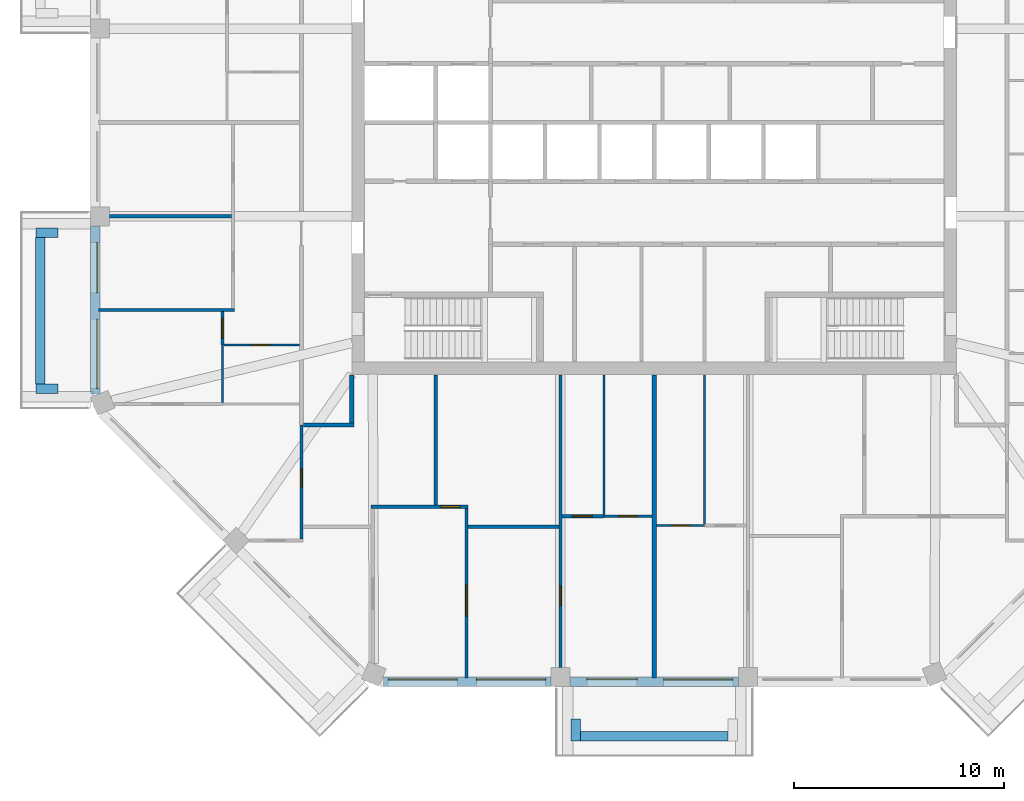
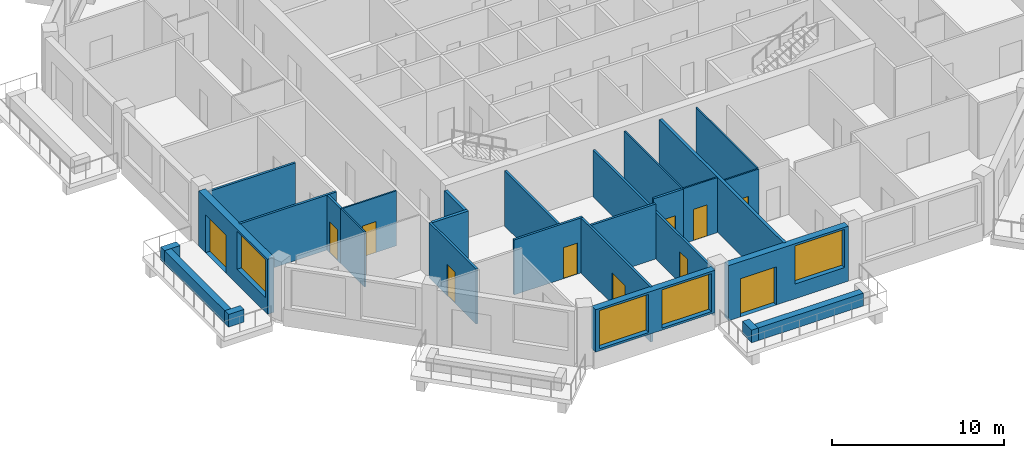
# One storey, part 3 of 12: 27 walls, 11 doors, 4 windows, 15 openings.
"""IFC4 building model written with IfcOpenShell, lengths in metres."""

from ifc_helpers import new_model, si_unit, direction, frame, frame_2d, origin, place, context, subcontext, project, spatial, rectangle, extrude, material, layer, layer_set, type_object, element, fill, save


model = new_model("IFC4")

# Units and contexts
model_context = context("Model", 3, precision=1e-05, world=origin(), true_north=direction((0.0, 1.0)))
body_context = subcontext(model_context, "Body", "Model", "MODEL_VIEW")
ifc_project = project(units=[si_unit("LENGTHUNIT", "METRE"), si_unit("AREAUNIT", "SQUARE_METRE"), si_unit("VOLUMEUNIT", "CUBIC_METRE"), si_unit("PLANEANGLEUNIT", "RADIAN"), si_unit("MASSUNIT", "GRAM", prefix="KILO")], contexts=[model_context])

# Site, building, storey
site_placement = place(None, origin())
site = spatial("IfcSite", under=ifc_project, at=site_placement, CompositionType="ELEMENT")
building_placement = place(site_placement, origin())
building = spatial("IfcBuilding", under=site, at=building_placement, Name="Msitu Wima Residences", CompositionType="ELEMENT")
storey_placement = place(building_placement, frame((0.0, 0.0, 306.300048828125)))
storey = spatial("IfcBuildingStorey", under=building, at=storey_placement, Name="L71", CompositionType="ELEMENT", Elevation=306.300048828125)

# Walls
ifc_material_1 = material(Name="Facing brick")
ifc_layer_1 = layer(ifc_material_1, 0.06494140625, Name="Facing brick")
ifc_material_2 = material(Name="Concrete C40/50", Category="concrete")
ifc_layer_2 = layer(ifc_material_2, 0.156005859375, Name="Concrete C40/50")
ifc_material_3 = material(Name="Waterproofing membrane")
ifc_layer_3 = layer(ifc_material_3, 0.00390625, Name="Waterproofing membrane")
ifc_material_4 = material(Name="Planting soil and planting")
ifc_layer_4 = layer(ifc_material_4, 0.22509765625, Name="Planting soil and planting")
ifc_layer_set_1 = layer_set([ifc_layer_1, ifc_layer_2, ifc_layer_3, ifc_layer_4], Name="Concrete C40/50")
wall_type_1 = type_object("IfcWallType", Name="Balcony planter PLANTER PL450", PredefinedType="USERDEFINED", material=ifc_layer_set_1)
wall_1_placement = place(storey_placement, frame((-29.22509765625, -5.468505859375, 0.0), z_axis=(0.0, 0.0, 1.0), x_axis=(0.0, -1.0, 0.0)))
element("IfcWall", 1, at=wall_1_placement, inside=storey, type_object=wall_type_1, Name="Balcony planter W2 L71", ObjectType="PLANTER", PredefinedType="USERDEFINED", context=body_context, shape_type="SweptSolid", body=[
    extrude(rectangle(XDim=6.9873046875, YDim=0.449951171875, at=frame_2d((3.49365234375, 0.0))), origin(), (0.0, 0.0, 1.0), 0.89990234375),
])
for number, where, z_axis, x_axis, name in (
    (2, (-28.39990234375, -5.24365234375, 0.0), (0.0, 0.0, 1.0), (-1.0, 0.0, 0.0), "Balcony planter W2 L71"),
    (3, (-28.39990234375, -12.680908203125, 0.0), (0.0, 0.0, 1.0), (-1.0, 0.0, 0.0), "Balcony planter W2 L71"),
):
    element("IfcWall", number, at=place(storey_placement, frame(where, z_axis=z_axis, x_axis=x_axis)), inside=storey, type_object=wall_type_1, Name=name, ObjectType="PLANTER", PredefinedType="USERDEFINED", context=body_context, shape_type="SweptSolid", body=[
        extrude(rectangle(XDim=1.050048828125, YDim=0.449951171875, at=frame_2d((0.52490234375, 0.0))), origin(), (0.0, 0.0, 1.0), 0.89990234375),
    ])
wall_2_placement = place(storey_placement, frame((-3.5185546875, -29.22509765625, 0.0), z_axis=(0.0, 0.0, 1.0), x_axis=(1.0, 0.0, 0.0)))
element("IfcWall", 4, at=wall_2_placement, inside=storey, type_object=wall_type_1, Name="Balcony planter S1 L71", ObjectType="PLANTER", PredefinedType="USERDEFINED", context=body_context, shape_type="SweptSolid", body=[
    extrude(rectangle(XDim=7.037109375, YDim=0.449951171875, at=frame_2d((3.5185546875, 0.0))), origin(), (0.0, 0.0, 1.0), 0.89990234375),
])
wall_3_placement = place(storey_placement, frame((-3.74365234375, -28.39990234375, 0.0), z_axis=(0.0, 0.0, 1.0), x_axis=(0.0, -1.0, 0.0)))
element("IfcWall", 5, at=wall_3_placement, inside=storey, type_object=wall_type_1, Name="Balcony planter S1 L71", ObjectType="PLANTER", PredefinedType="USERDEFINED", context=body_context, shape_type="SweptSolid", body=[
    extrude(rectangle(XDim=1.050048828125, YDim=0.449951171875, at=frame_2d((0.52490234375, 0.0))), origin(), (0.0, 0.0, 1.0), 0.89990234375),
])

# Wall, openings, door, window
ifc_material_5 = material(Name="Brick (red buff mix)", Category="masonry")
ifc_layer_5 = layer(ifc_material_5, 0.449951171875)
ifc_layer_set_2 = layer_set([ifc_layer_5], Name="Brick (red buff mix)")
wall_type_2 = type_object("IfcWallType", Name="Brick infill wall BW450", PredefinedType="SOLIDWALL", material=ifc_layer_set_2)
wall_4_placement = place(storey_placement, frame((-26.625, -4.918701171875, 0.0), z_axis=(0.0, 0.0, 1.0), x_axis=(0.0, -1.0, 0.0)))
wall_4 = element("IfcWall", 6, at=wall_4_placement, inside=storey, type_object=wall_type_2, Name="Brick infill wall L71 W2", PredefinedType="SOLIDWALL", context=body_context, shape_type="SweptSolid", body=[
    extrude(rectangle(XDim=8.0, YDim=0.449951171875, at=frame_2d((4.0, 0.0))), origin(), (0.0, 0.0, 1.0), 3.89990234375),
])
opening_1_placement = place(wall_4_placement, frame((0.800048828125, 0.0, 0.0)))
opening_1 = element("IfcOpeningElement", 7, at=opening_1_placement, cuts=wall_4, Name="Opening D71.010", PredefinedType="OPENING", context=body_context, shape_type="SweptSolid", body=[
    extrude(rectangle(XDim=2.39990234375, YDim=2.699951171875, at=frame_2d((1.199951171875, 1.35009765625))), frame((0.0, 0.23486328125, 0.0), z_axis=(0.0, -1.0, 0.0), x_axis=(1.0, 0.0, 0.0)), (0.0, 0.0, 1.0), 0.469970703125),
])
opening_2_placement = place(wall_4_placement, frame((4.4501953125, 0.0, 1.050048828125)))
opening_2 = element("IfcOpeningElement", 8, at=opening_2_placement, cuts=wall_4, Name="Opening W71.030", PredefinedType="OPENING", context=body_context, shape_type="SweptSolid", body=[
    extrude(rectangle(XDim=3.300048828125, YDim=2.699951171875, at=frame_2d((1.64990234375, 1.35009765625))), frame((0.0, 0.23486328125, 0.0), z_axis=(0.0, -1.0, 0.0), x_axis=(1.0, 0.0, 0.0)), (0.0, 0.0, 1.0), 0.469970703125),
])
ifc_material_6 = material(Name="Anodised aluminium, bronze finish, clear low-emissivity double glazing", Category="aluminium")
door_type_1 = type_object("IfcDoorType", Name="Balcony door D2400x2700", OperationType="SLIDING_TO_LEFT", PredefinedType="DOOR", material=ifc_material_6)
door_1_placement = place(opening_1_placement, origin())
door_1 = element("IfcDoor", 9, at=door_1_placement, inside=storey, type_object=door_type_1, Name="Balcony door L71 W2", OperationType="SINGLE_SWING_LEFT", OverallHeight=2.699951171875, OverallWidth=2.39990234375, PredefinedType="DOOR", context=body_context, shape_type="SweptSolid", body=[
    extrude(rectangle(XDim=2.39990234375, YDim=2.699951171875, at=frame_2d((1.199951171875, 1.35009765625))), frame((0.0, 0.1298828125, 0.0), z_axis=(0.0, -1.0, 0.0), x_axis=(1.0, 0.0, 0.0)), (0.0, 0.0, 1.0), 0.050048828125),
])
fill(opening_1, door_1)
window_type = type_object("IfcWindowType", Name="Window W3300x2700", PartitioningType="DOUBLE_PANEL_VERTICAL", PredefinedType="WINDOW", material=ifc_material_6)
window_1_placement = place(opening_2_placement, origin())
window_1 = element("IfcWindow", 10, at=window_1_placement, inside=storey, type_object=window_type, Name="Window L71 W2.2", OverallHeight=2.699951171875, OverallWidth=3.300048828125, PartitioningType="SINGLE_PANEL", PredefinedType="WINDOW", context=body_context, shape_type="SweptSolid", body=[
    extrude(rectangle(XDim=3.300048828125, YDim=2.699951171875, at=frame_2d((1.64990234375, 1.35009765625))), frame((0.0, 0.135009765625, 0.0), z_axis=(0.0, -1.0, 0.0), x_axis=(1.0, 0.0, 0.0)), (0.0, 0.0, 1.0), 0.06005859375),
])
fill(opening_2, window_1)

# Wall, openings, windows
wall_5_placement = place(storey_placement, frame((-12.918701171875, -26.625, 0.89990234375), z_axis=(0.0, 0.0, 1.0), x_axis=(1.0, 0.0, 0.0)))
wall_5 = element("IfcWall", 11, at=wall_5_placement, inside=storey, type_object=wall_type_2, Name="Brick infill wall L71 S0", PredefinedType="SOLIDWALL", context=body_context, shape_type="SweptSolid", body=[
    extrude(rectangle(XDim=8.0, YDim=0.449951171875, at=frame_2d((4.0, 0.0))), origin(), (0.0, 0.0, 1.0), 3.0),
])
opening_3_placement = place(wall_5_placement, frame((0.25, 0.0, 0.14990234375)))
opening_3 = element("IfcOpeningElement", 12, at=opening_3_placement, cuts=wall_5, Name="Opening W71.016", PredefinedType="OPENING", context=body_context, shape_type="SweptSolid", body=[
    extrude(rectangle(XDim=3.300048828125, YDim=2.699951171875, at=frame_2d((1.64990234375, 1.35009765625))), frame((0.0, 0.23486328125, 0.0), z_axis=(0.0, -1.0, 0.0), x_axis=(1.0, 0.0, 0.0)), (0.0, 0.0, 1.0), 0.469970703125),
])
opening_4_placement = place(wall_5_placement, frame((4.4501953125, 0.0, 0.14990234375)))
opening_4 = element("IfcOpeningElement", 13, at=opening_4_placement, cuts=wall_5, Name="Opening W71.017", PredefinedType="OPENING", context=body_context, shape_type="SweptSolid", body=[
    extrude(rectangle(XDim=3.300048828125, YDim=2.699951171875, at=frame_2d((1.64990234375, 1.35009765625))), frame((0.0, 0.23486328125, 0.0), z_axis=(0.0, -1.0, 0.0), x_axis=(1.0, 0.0, 0.0)), (0.0, 0.0, 1.0), 0.469970703125),
])
window_2_placement = place(opening_3_placement, origin())
window_2 = element("IfcWindow", 14, at=window_2_placement, inside=storey, type_object=window_type, Name="Window L71 S0.1", OverallHeight=2.699951171875, OverallWidth=3.300048828125, PartitioningType="SINGLE_PANEL", PredefinedType="WINDOW", context=body_context, shape_type="SweptSolid", body=[
    extrude(rectangle(XDim=3.300048828125, YDim=2.699951171875, at=frame_2d((1.64990234375, 1.35009765625))), frame((0.0, 0.135009765625, 0.0), z_axis=(0.0, -1.0, 0.0), x_axis=(1.0, 0.0, 0.0)), (0.0, 0.0, 1.0), 0.06005859375),
])
fill(opening_3, window_2)
window_3_placement = place(opening_4_placement, origin())
window_3 = element("IfcWindow", 15, at=window_3_placement, inside=storey, type_object=window_type, Name="Window L71 S0.2", OverallHeight=2.699951171875, OverallWidth=3.300048828125, PartitioningType="SINGLE_PANEL", PredefinedType="WINDOW", context=body_context, shape_type="SweptSolid", body=[
    extrude(rectangle(XDim=3.300048828125, YDim=2.699951171875, at=frame_2d((1.64990234375, 1.35009765625))), frame((0.0, 0.135009765625, 0.0), z_axis=(0.0, -1.0, 0.0), x_axis=(1.0, 0.0, 0.0)), (0.0, 0.0, 1.0), 0.06005859375),
])
fill(opening_4, window_3)

# Wall, openings, door, window
wall_6_placement = place(storey_placement, frame((-4.0185546875, -26.625, 0.0), z_axis=(0.0, 0.0, 1.0), x_axis=(1.0, 0.0, 0.0)))
wall_6 = element("IfcWall", 16, at=wall_6_placement, inside=storey, type_object=wall_type_2, Name="Brick infill wall L71 S1", PredefinedType="SOLIDWALL", context=body_context, shape_type="SweptSolid", body=[
    extrude(rectangle(XDim=8.037109375, YDim=0.449951171875, at=frame_2d((4.0185546875, 0.0))), origin(), (0.0, 0.0, 1.0), 3.89990234375),
])
opening_5_placement = place(wall_6_placement, frame((0.809326171875, 0.0, 0.0)))
opening_5 = element("IfcOpeningElement", 17, at=opening_5_placement, cuts=wall_6, Name="Opening D71.006", PredefinedType="OPENING", context=body_context, shape_type="SweptSolid", body=[
    extrude(rectangle(XDim=2.39990234375, YDim=2.699951171875, at=frame_2d((1.199951171875, 1.35009765625))), frame((0.0, 0.23486328125, 0.0), z_axis=(0.0, -1.0, 0.0), x_axis=(1.0, 0.0, 0.0)), (0.0, 0.0, 1.0), 0.469970703125),
])
opening_6_placement = place(wall_6_placement, frame((4.46875, 0.0, 1.050048828125)))
opening_6 = element("IfcOpeningElement", 18, at=opening_6_placement, cuts=wall_6, Name="Opening W71.018", PredefinedType="OPENING", context=body_context, shape_type="SweptSolid", body=[
    extrude(rectangle(XDim=3.300048828125, YDim=2.699951171875, at=frame_2d((1.64990234375, 1.35009765625))), frame((0.0, 0.23486328125, 0.0), z_axis=(0.0, -1.0, 0.0), x_axis=(1.0, 0.0, 0.0)), (0.0, 0.0, 1.0), 0.469970703125),
])
door_2_placement = place(opening_5_placement, origin())
door_2 = element("IfcDoor", 19, at=door_2_placement, inside=storey, type_object=door_type_1, Name="Balcony door L71 S1", OperationType="SINGLE_SWING_LEFT", OverallHeight=2.699951171875, OverallWidth=2.39990234375, PredefinedType="DOOR", context=body_context, shape_type="SweptSolid", body=[
    extrude(rectangle(XDim=2.39990234375, YDim=2.699951171875, at=frame_2d((1.199951171875, 1.35009765625))), frame((0.0, 0.1298828125, 0.0), z_axis=(0.0, -1.0, 0.0), x_axis=(1.0, 0.0, 0.0)), (0.0, 0.0, 1.0), 0.050048828125),
])
fill(opening_5, door_2)
window_4_placement = place(opening_6_placement, origin())
window_4 = element("IfcWindow", 20, at=window_4_placement, inside=storey, type_object=window_type, Name="Window L71 S1.2", OverallHeight=2.699951171875, OverallWidth=3.300048828125, PartitioningType="SINGLE_PANEL", PredefinedType="WINDOW", context=body_context, shape_type="SweptSolid", body=[
    extrude(rectangle(XDim=3.300048828125, YDim=2.699951171875, at=frame_2d((1.64990234375, 1.35009765625))), frame((0.0, 0.135009765625, 0.0), z_axis=(0.0, -1.0, 0.0), x_axis=(1.0, 0.0, 0.0)), (0.0, 0.0, 1.0), 0.06005859375),
])
fill(opening_6, window_4)

# Walls
ifc_material_7 = material(Name="Plaster")
ifc_layer_6 = layer(ifc_material_7, 0.011962890625, Name="Plaster")
ifc_material_8 = material(Name="Concrete blockwork", Category="masonry")
ifc_layer_7 = layer(ifc_material_8, 0.176025390625, Name="Concrete blockwork")
ifc_layer_8 = layer(ifc_material_7, 0.011962890625, Name="Plaster")
ifc_layer_set_3 = layer_set([ifc_layer_6, ifc_layer_7, ifc_layer_8], Name="Concrete blockwork")
wall_type_3 = type_object("IfcWallType", Name="Corridor wall FW200", PredefinedType="PARTITIONING", material=ifc_layer_set_3)
wall_7_placement = place(storey_placement, frame((-16.699951171875, -14.39990234375, 0.0), z_axis=(0.0, 0.0, 1.0), x_axis=(1.0, 0.0, 0.0)))
element("IfcWall", 21, at=wall_7_placement, inside=storey, type_object=wall_type_3, Name="Corridor wall", PredefinedType="PARTITIONING", context=body_context, shape_type="SweptSolid", body=[
    extrude(rectangle(XDim=2.39990234375, YDim=0.199951171875, at=frame_2d((1.199951171875, 0.0))), origin(), (0.0, 0.0, 1.0), 3.89990234375),
])
wall_8_placement = place(storey_placement, frame((-14.39990234375, -14.300048828125, 0.0), z_axis=(0.0, 0.0, 1.0), x_axis=(0.0, 1.0, 0.0)))
element("IfcWall", 22, at=wall_8_placement, inside=storey, type_object=wall_type_3, Name="Corridor wall", PredefinedType="PARTITIONING", context=body_context, shape_type="SweptSolid", body=[
    extrude(rectangle(XDim=2.27001953125, YDim=0.199951171875, at=frame_2d((1.135009765625, 0.0))), origin(), (0.0, 0.0, 1.0), 3.89990234375),
])
ifc_layer_9 = layer(ifc_material_7, 0.011962890625, Name="Plaster")
ifc_layer_10 = layer(ifc_material_8, 0.1259765625, Name="Concrete blockwork")
ifc_layer_11 = layer(ifc_material_7, 0.011962890625, Name="Plaster")
ifc_layer_set_4 = layer_set([ifc_layer_9, ifc_layer_10, ifc_layer_11], Name="Concrete blockwork")
wall_type_4 = type_object("IfcWallType", Name="Partition PW150", PredefinedType="PARTITIONING", material=ifc_layer_set_4)
wall_9_placement = place(storey_placement, frame((-26.455078125, -8.937255859375, 0.0), z_axis=(0.0, 0.0, 1.0), x_axis=(1.0, 0.0, 0.0)))
element("IfcWall", 23, at=wall_9_placement, inside=storey, type_object=wall_type_4, Name="Partition", PredefinedType="PARTITIONING", context=body_context, shape_type="SweptSolid", body=[
    extrude(rectangle(XDim=6.47998046875, YDim=0.14990234375, at=frame_2d((3.239990234375, 0.0))), origin(), (0.0, 0.0, 1.0), 3.89990234375),
])
wall_10_placement = place(storey_placement, frame((-25.949951171875, -4.46875, 0.0), z_axis=(0.0, 0.0, 1.0), x_axis=(1.0, 0.0, 0.0)))
element("IfcWall", 24, at=wall_10_placement, inside=storey, type_object=wall_type_4, Name="Partition", PredefinedType="PARTITIONING", context=body_context, shape_type="SweptSolid", body=[
    extrude(rectangle(XDim=5.824951171875, YDim=0.14990234375, at=frame_2d((2.91259765625, 0.0))), origin(), (0.0, 0.0, 1.0), 3.300048828125),
])

# Wall, opening, door
wall_11_placement = place(storey_placement, frame((-20.550048828125, -10.580078125, 0.0), z_axis=(0.0, 0.0, 1.0), x_axis=(0.0, 1.0, 0.0)))
wall_11 = element("IfcWall", 25, at=wall_11_placement, inside=storey, type_object=wall_type_4, Name="Partition", PredefinedType="PARTITIONING", context=body_context, shape_type="SweptSolid", body=[
    extrude(rectangle(XDim=1.56787109375, YDim=0.14990234375, at=frame_2d((0.783935546875, 0.0))), origin(), (0.0, 0.0, 1.0), 3.89990234375),
])
opening_7_placement = place(wall_11_placement, frame((0.300048828125, 0.0, 0.0)))
opening_7 = element("IfcOpeningElement", 26, at=opening_7_placement, cuts=wall_11, Name="Opening D71.058", PredefinedType="OPENING", context=body_context, shape_type="SweptSolid", body=[
    extrude(rectangle(XDim=0.949951171875, YDim=2.199951171875, at=frame_2d((0.47509765625, 1.10009765625))), frame((0.0, 0.0849609375, 0.0), z_axis=(0.0, -1.0, 0.0), x_axis=(1.0, 0.0, 0.0)), (0.0, 0.0, 1.0), 0.169921875),
])
ifc_material_9 = material(Name="Timber flush door", Category="wood")
door_type_2 = type_object("IfcDoorType", Name="Room door D12 950x2200", OperationType="SINGLE_SWING_LEFT", PredefinedType="DOOR", material=ifc_material_9)
door_3_placement = place(opening_7_placement, origin())
door_3 = element("IfcDoor", 27, at=door_3_placement, inside=storey, type_object=door_type_2, Name="Room door", OperationType="SINGLE_SWING_RIGHT", OverallHeight=2.199951171875, OverallWidth=0.949951171875, PredefinedType="DOOR", context=body_context, shape_type="SweptSolid", body=[
    extrude(rectangle(XDim=0.949951171875, YDim=2.199951171875, at=frame_2d((0.47509765625, 1.10009765625))), frame((0.0, 0.02490234375, 0.0), z_axis=(0.0, -1.0, 0.0), x_axis=(1.0, 0.0, 0.0)), (0.0, 0.0, 1.0), 0.050048828125),
])
fill(opening_7, door_3)

wall_12_placement = place(storey_placement, frame((-16.800048828125, -19.827880859375, 0.0), z_axis=(0.0, 0.0, 1.0), x_axis=(0.0, 1.0, 0.0)))
wall_12 = element("IfcWall", 28, at=wall_12_placement, inside=storey, type_object=wall_type_4, Name="Partition", PredefinedType="PARTITIONING", context=body_context, shape_type="SweptSolid", body=[
    extrude(rectangle(XDim=5.427978515625, YDim=0.14990234375, at=frame_2d((2.7138671875, 0.0))), origin(), (0.0, 0.0, 1.0), 3.89990234375),
])
opening_8_placement = place(wall_12_placement, frame((2.449951171875, 0.0, 0.0)))
opening_8 = element("IfcOpeningElement", 29, at=opening_8_placement, cuts=wall_12, Name="Opening D71.060", PredefinedType="OPENING", context=body_context, shape_type="SweptSolid", body=[
    extrude(rectangle(XDim=0.89990234375, YDim=2.199951171875, at=frame_2d((0.449951171875, 1.10009765625))), frame((0.0, 0.0849609375, 0.0), z_axis=(0.0, -1.0, 0.0), x_axis=(1.0, 0.0, 0.0)), (0.0, 0.0, 1.0), 0.169921875),
])
door_type_3 = type_object("IfcDoorType", Name="Service door D05 900x2200", OperationType="SINGLE_SWING_LEFT", PredefinedType="DOOR", material=ifc_material_9)
door_4_placement = place(opening_8_placement, origin())
door_4 = element("IfcDoor", 30, at=door_4_placement, inside=storey, type_object=door_type_3, Name="Service door", OperationType="SINGLE_SWING_RIGHT", OverallHeight=2.199951171875, OverallWidth=0.89990234375, PredefinedType="DOOR", context=body_context, shape_type="SweptSolid", body=[
    extrude(rectangle(XDim=0.89990234375, YDim=2.199951171875, at=frame_2d((0.449951171875, 1.10009765625))), frame((0.0, 0.02490234375, 0.0), z_axis=(0.0, -1.0, 0.0), x_axis=(1.0, 0.0, 0.0)), (0.0, 0.0, 1.0), 0.050048828125),
])
fill(opening_8, door_4)

wall_13_placement = place(storey_placement, frame((-13.48095703125, -18.300048828125, 0.0), z_axis=(0.0, 0.0, 1.0), x_axis=(1.0, 0.0, 0.0)))
wall_13 = element("IfcWall", 31, at=wall_13_placement, inside=storey, type_object=wall_type_4, Name="Partition", PredefinedType="PARTITIONING", context=body_context, shape_type="SweptSolid", body=[
    extrude(rectangle(XDim=4.61865234375, YDim=0.14990234375, at=frame_2d((2.309326171875, 0.0))), origin(), (0.0, 0.0, 1.0), 3.89990234375),
])
opening_9_placement = place(wall_13_placement, frame((3.300048828125, 0.0, 0.0)))
opening_9 = element("IfcOpeningElement", 32, at=opening_9_placement, cuts=wall_13, Name="Opening D71.063", PredefinedType="OPENING", context=body_context, shape_type="SweptSolid", body=[
    extrude(rectangle(XDim=0.949951171875, YDim=2.199951171875, at=frame_2d((0.47509765625, 1.10009765625))), frame((0.0, 0.0849609375, 0.0), z_axis=(0.0, -1.0, 0.0), x_axis=(1.0, 0.0, 0.0)), (0.0, 0.0, 1.0), 0.169921875),
])
door_5_placement = place(opening_9_placement, origin())
door_5 = element("IfcDoor", 33, at=door_5_placement, inside=storey, type_object=door_type_2, Name="Room door", OperationType="SINGLE_SWING_LEFT", OverallHeight=2.199951171875, OverallWidth=0.949951171875, PredefinedType="DOOR", context=body_context, shape_type="SweptSolid", body=[
    extrude(rectangle(XDim=0.949951171875, YDim=2.199951171875, at=frame_2d((0.47509765625, 1.10009765625))), frame((0.0, 0.02490234375, 0.0), z_axis=(0.0, -1.0, 0.0), x_axis=(1.0, 0.0, 0.0)), (0.0, 0.0, 1.0), 0.050048828125),
])
fill(opening_9, door_5)

# Wall
wall_14_placement = place(storey_placement, frame((-10.39990234375, -18.22509765625, 0.0), z_axis=(0.0, 0.0, 1.0), x_axis=(0.0, 1.0, 0.0)))
element("IfcWall", 34, at=wall_14_placement, inside=storey, type_object=wall_type_4, Name="Partition", PredefinedType="PARTITIONING", context=body_context, shape_type="SweptSolid", body=[
    extrude(rectangle(XDim=6.195068359375, YDim=0.14990234375, at=frame_2d((3.09765625, 0.0))), origin(), (0.0, 0.0, 1.0), 3.89990234375),
])

# Wall, opening, door
wall_15_placement = place(storey_placement, frame((-8.937255859375, -26.455078125, 0.0), z_axis=(0.0, 0.0, 1.0), x_axis=(0.0, 1.0, 0.0)))
wall_15 = element("IfcWall", 35, at=wall_15_placement, inside=storey, type_object=wall_type_4, Name="Partition", PredefinedType="PARTITIONING", context=body_context, shape_type="SweptSolid", body=[
    extrude(rectangle(XDim=8.080078125, YDim=0.14990234375, at=frame_2d((4.0400390625, 0.0))), origin(), (0.0, 0.0, 1.0), 3.89990234375),
])
opening_10_placement = place(wall_15_placement, frame((2.949951171875, 0.0, 0.0)))
opening_10 = element("IfcOpeningElement", 36, at=opening_10_placement, cuts=wall_15, Name="Opening D71.052", PredefinedType="OPENING", context=body_context, shape_type="SweptSolid", body=[
    extrude(rectangle(XDim=1.5, YDim=2.199951171875, at=frame_2d((0.75, 1.10009765625))), frame((0.0, 0.0849609375, 0.0), z_axis=(0.0, -1.0, 0.0), x_axis=(1.0, 0.0, 0.0)), (0.0, 0.0, 1.0), 0.169921875),
])
ifc_material_10 = material(Name="Timber double door", Category="wood")
door_type_4 = type_object("IfcDoorType", Name="Double door D04 1500x2200", OperationType="DOUBLE_DOOR_SINGLE_SWING", PredefinedType="DOOR", material=ifc_material_10)
door_6_placement = place(opening_10_placement, origin())
door_6 = element("IfcDoor", 37, at=door_6_placement, inside=storey, type_object=door_type_4, Name="Double door", OperationType="DOUBLE_DOOR_SINGLE_SWING", OverallHeight=2.199951171875, OverallWidth=1.5, PredefinedType="DOOR", context=body_context, shape_type="SweptSolid", body=[
    extrude(rectangle(XDim=1.5, YDim=2.199951171875, at=frame_2d((0.75, 1.10009765625))), frame((0.0, 0.02490234375, 0.0), z_axis=(0.0, -1.0, 0.0), x_axis=(1.0, 0.0, 0.0)), (0.0, 0.0, 1.0), 0.050048828125),
])
fill(opening_10, door_6)

# Wall
wall_16_placement = place(storey_placement, frame((-8.8623046875, -19.25, 0.0), z_axis=(0.0, 0.0, 1.0), x_axis=(1.0, 0.0, 0.0)))
element("IfcWall", 38, at=wall_16_placement, inside=storey, type_object=wall_type_4, Name="Partition", PredefinedType="PARTITIONING", context=body_context, shape_type="SweptSolid", body=[
    extrude(rectangle(XDim=4.318603515625, YDim=0.14990234375, at=frame_2d((2.1591796875, 0.0))), origin(), (0.0, 0.0, 1.0), 3.89990234375),
])

# Wall, opening, door
wall_17_placement = place(storey_placement, frame((-4.46875, -25.949951171875, 0.0), z_axis=(0.0, 0.0, 1.0), x_axis=(0.0, 1.0, 0.0)))
wall_17 = element("IfcWall", 39, at=wall_17_placement, inside=storey, type_object=wall_type_4, Name="Partition", PredefinedType="PARTITIONING", context=body_context, shape_type="SweptSolid", body=[
    extrude(rectangle(XDim=13.919921875, YDim=0.14990234375, at=frame_2d((6.9599609375, 0.0))), origin(), (0.0, 0.0, 1.0), 3.300048828125),
])
opening_11_placement = place(wall_17_placement, frame((2.949951171875, 0.0, 0.0)))
opening_11 = element("IfcOpeningElement", 40, at=opening_11_placement, cuts=wall_17, Name="Opening D71.053", PredefinedType="OPENING", context=body_context, shape_type="SweptSolid", body=[
    extrude(rectangle(XDim=0.949951171875, YDim=2.199951171875, at=frame_2d((0.47509765625, 1.10009765625))), frame((0.0, 0.0849609375, 0.0), z_axis=(0.0, -1.0, 0.0), x_axis=(1.0, 0.0, 0.0)), (0.0, 0.0, 1.0), 0.169921875),
])
door_7_placement = place(opening_11_placement, origin())
door_7 = element("IfcDoor", 41, at=door_7_placement, inside=storey, type_object=door_type_2, Name="Room door", OperationType="SINGLE_SWING_RIGHT", OverallHeight=2.199951171875, OverallWidth=0.949951171875, PredefinedType="DOOR", context=body_context, shape_type="SweptSolid", body=[
    extrude(rectangle(XDim=0.949951171875, YDim=2.199951171875, at=frame_2d((0.47509765625, 1.10009765625))), frame((0.0, 0.02490234375, 0.0), z_axis=(0.0, -1.0, 0.0), x_axis=(1.0, 0.0, 0.0)), (0.0, 0.0, 1.0), 0.050048828125),
])
fill(opening_11, door_7)

wall_18_placement = place(storey_placement, frame((-4.3935546875, -18.75, 0.0), z_axis=(0.0, 0.0, 1.0), x_axis=(1.0, 0.0, 0.0)))
wall_18 = element("IfcWall", 42, at=wall_18_placement, inside=storey, type_object=wall_type_4, Name="Partition", PredefinedType="PARTITIONING", context=body_context, shape_type="SweptSolid", body=[
    extrude(rectangle(XDim=1.99365234375, YDim=0.14990234375, at=frame_2d((0.996826171875, 0.0))), origin(), (0.0, 0.0, 1.0), 3.89990234375),
])
opening_12_placement = place(wall_18_placement, frame((0.5, 0.0, 0.0)))
opening_12 = element("IfcOpeningElement", 43, at=opening_12_placement, cuts=wall_18, Name="Opening D71.055", PredefinedType="OPENING", context=body_context, shape_type="SweptSolid", body=[
    extrude(rectangle(XDim=0.949951171875, YDim=2.199951171875, at=frame_2d((0.47509765625, 1.10009765625))), frame((0.0, 0.0849609375, 0.0), z_axis=(0.0, -1.0, 0.0), x_axis=(1.0, 0.0, 0.0)), (0.0, 0.0, 1.0), 0.169921875),
])
door_8_placement = place(opening_12_placement, origin())
door_8 = element("IfcDoor", 44, at=door_8_placement, inside=storey, type_object=door_type_2, Name="Room door", OperationType="SINGLE_SWING_RIGHT", OverallHeight=2.199951171875, OverallWidth=0.949951171875, PredefinedType="DOOR", context=body_context, shape_type="SweptSolid", body=[
    extrude(rectangle(XDim=0.949951171875, YDim=2.199951171875, at=frame_2d((0.47509765625, 1.10009765625))), frame((0.0, 0.02490234375, 0.0), z_axis=(0.0, -1.0, 0.0), x_axis=(1.0, 0.0, 0.0)), (0.0, 0.0, 1.0), 0.050048828125),
])
fill(opening_12, door_8)

# Walls
ifc_layer_12 = layer(ifc_material_7, 0.011962890625, Name="Plaster")
ifc_material_11 = material(Name="Dense concrete blockwork", Category="masonry")
ifc_layer_13 = layer(ifc_material_11, 0.176025390625, Name="Dense concrete blockwork")
ifc_layer_14 = layer(ifc_material_7, 0.011962890625, Name="Plaster")
ifc_layer_set_5 = layer_set([ifc_layer_12, ifc_layer_13, ifc_layer_14], Name="Dense concrete blockwork")
wall_type_5 = type_object("IfcWallType", Name="Party wall PW200", PredefinedType="PARTITIONING", material=ifc_layer_set_5)
wall_19_placement = place(storey_placement, frame((0.0, -26.455078125, 0.0), z_axis=(0.0, 0.0, 1.0), x_axis=(0.0, 1.0, 0.0)))
element("IfcWall", 45, at=wall_19_placement, inside=storey, type_object=wall_type_5, Name="Party wall", PredefinedType="PARTITIONING", context=body_context, shape_type="SweptSolid", body=[
    extrude(rectangle(XDim=14.425048828125, YDim=0.199951171875, at=frame_2d((7.21240234375, 0.0))), origin(), (0.0, 0.0, 1.0), 3.89990234375),
])
ifc_material_12 = material(Name="Ceramic tiles")
ifc_layer_15 = layer(ifc_material_12, 0.008056640625, Name="Ceramic tiles")
ifc_material_13 = material(Name="Moisture-resistant board")
ifc_layer_16 = layer(ifc_material_13, 0.012451171875, Name="Moisture-resistant board")
ifc_material_14 = material(Name="Light-gauge stud framing with mineral wool")
ifc_layer_17 = layer(ifc_material_14, 0.06689453125, Name="Light-gauge stud framing with mineral wool")
ifc_layer_18 = layer(ifc_material_13, 0.012451171875, Name="Moisture-resistant board")
ifc_layer_set_6 = layer_set([ifc_layer_15, ifc_layer_16, ifc_layer_17, ifc_layer_18], Name="Light-gauge stud framing with mineral wool")
wall_type_6 = type_object("IfcWallType", Name="Wet wall PW100", PredefinedType="PARTITIONING", material=ifc_layer_set_6)
wall_20_placement = place(storey_placement, frame((-20.550048828125, -13.330810546875, 0.0), z_axis=(0.0, 0.0, 1.0), x_axis=(0.0, 1.0, 0.0)))
element("IfcWall", 46, at=wall_20_placement, inside=storey, type_object=wall_type_6, Name="Wet wall", PredefinedType="PARTITIONING", context=body_context, shape_type="SweptSolid", body=[
    extrude(rectangle(XDim=2.750732421875, YDim=0.10009765625, at=frame_2d((1.37548828125, 0.0))), origin(), (0.0, 0.0, 1.0), 3.89990234375),
])

# Wall, opening, door
wall_21_placement = place(storey_placement, frame((-20.47509765625, -10.60009765625, 0.0), z_axis=(0.0, 0.0, 1.0), x_axis=(1.0, 0.0, 0.0)))
wall_21 = element("IfcWall", 47, at=wall_21_placement, inside=storey, type_object=wall_type_6, Name="Wet wall", PredefinedType="PARTITIONING", context=body_context, shape_type="SweptSolid", body=[
    extrude(rectangle(XDim=3.5751953125, YDim=0.10009765625, at=frame_2d((1.78759765625, 0.0))), origin(), (0.0, 0.0, 1.0), 3.89990234375),
])
opening_13_placement = place(wall_21_placement, frame((1.300048828125, 0.0, 0.0)))
opening_13 = element("IfcOpeningElement", 48, at=opening_13_placement, cuts=wall_21, Name="Opening D71.051", PredefinedType="OPENING", context=body_context, shape_type="SweptSolid", body=[
    extrude(rectangle(XDim=0.89990234375, YDim=2.199951171875, at=frame_2d((0.449951171875, 1.10009765625))), frame((0.0, 0.06005859375, 0.0), z_axis=(0.0, -1.0, 0.0), x_axis=(1.0, 0.0, 0.0)), (0.0, 0.0, 1.0), 0.1201171875),
])
ifc_material_15 = material(Name="Timber flush door, moisture resistant", Category="wood")
door_type_5 = type_object("IfcDoorType", Name="Bathroom door D03 900x2200", OperationType="SINGLE_SWING_LEFT", PredefinedType="DOOR", material=ifc_material_15)
door_9_placement = place(opening_13_placement, origin())
door_9 = element("IfcDoor", 49, at=door_9_placement, inside=storey, type_object=door_type_5, Name="Bathroom door", OperationType="SINGLE_SWING_RIGHT", OverallHeight=2.199951171875, OverallWidth=0.89990234375, PredefinedType="DOOR", context=body_context, shape_type="SweptSolid", body=[
    extrude(rectangle(XDim=0.89990234375, YDim=2.199951171875, at=frame_2d((0.449951171875, 1.10009765625))), frame((0.0, 0.02490234375, 0.0), z_axis=(0.0, -1.0, 0.0), x_axis=(1.0, 0.0, 0.0)), (0.0, 0.0, 1.0), 0.050048828125),
])
fill(opening_13, door_9)

# Wall
wall_22_placement = place(storey_placement, frame((-2.39990234375, -18.675048828125, 0.0), z_axis=(0.0, 0.0, 1.0), x_axis=(0.0, 1.0, 0.0)))
element("IfcWall", 50, at=wall_22_placement, inside=storey, type_object=wall_type_6, Name="Wet wall", PredefinedType="PARTITIONING", context=body_context, shape_type="SweptSolid", body=[
    extrude(rectangle(XDim=6.64501953125, YDim=0.10009765625, at=frame_2d((3.322509765625, 0.0))), origin(), (0.0, 0.0, 1.0), 3.89990234375),
])

# Wall, opening, door
wall_23_placement = place(storey_placement, frame((-2.39990234375, -18.75, 0.0), z_axis=(0.0, 0.0, 1.0), x_axis=(1.0, 0.0, 0.0)))
wall_23 = element("IfcWall", 51, at=wall_23_placement, inside=storey, type_object=wall_type_6, Name="Wet wall", PredefinedType="PARTITIONING", context=body_context, shape_type="SweptSolid", body=[
    extrude(rectangle(XDim=2.2998046875, YDim=0.10009765625, at=frame_2d((1.14990234375, 0.0))), origin(), (0.0, 0.0, 1.0), 3.89990234375),
])
opening_14_placement = place(wall_23_placement, frame((0.699951171875, 0.0, 0.0)))
opening_14 = element("IfcOpeningElement", 52, at=opening_14_placement, cuts=wall_23, Name="Opening D71.054", PredefinedType="OPENING", context=body_context, shape_type="SweptSolid", body=[
    extrude(rectangle(XDim=0.89990234375, YDim=2.199951171875, at=frame_2d((0.449951171875, 1.10009765625))), frame((0.0, 0.06005859375, 0.0), z_axis=(0.0, -1.0, 0.0), x_axis=(1.0, 0.0, 0.0)), (0.0, 0.0, 1.0), 0.1201171875),
])
door_10_placement = place(opening_14_placement, origin())
door_10 = element("IfcDoor", 53, at=door_10_placement, inside=storey, type_object=door_type_5, Name="Bathroom door", OperationType="SINGLE_SWING_LEFT", OverallHeight=2.199951171875, OverallWidth=0.89990234375, PredefinedType="DOOR", context=body_context, shape_type="SweptSolid", body=[
    extrude(rectangle(XDim=0.89990234375, YDim=2.199951171875, at=frame_2d((0.449951171875, 1.10009765625))), frame((0.0, 0.02490234375, 0.0), z_axis=(0.0, -1.0, 0.0), x_axis=(1.0, 0.0, 0.0)), (0.0, 0.0, 1.0), 0.050048828125),
])
fill(opening_14, door_10)

wall_24_placement = place(storey_placement, frame((0.10009765625, -19.199951171875, 0.0), z_axis=(0.0, 0.0, 1.0), x_axis=(1.0, 0.0, 0.0)))
wall_24 = element("IfcWall", 54, at=wall_24_placement, inside=storey, type_object=wall_type_6, Name="Wet wall", PredefinedType="PARTITIONING", context=body_context, shape_type="SweptSolid", body=[
    extrude(rectangle(XDim=2.2998046875, YDim=0.10009765625, at=frame_2d((1.14990234375, 0.0))), origin(), (0.0, 0.0, 1.0), 3.89990234375),
])
opening_15_placement = place(wall_24_placement, frame((0.699951171875, 0.0, 0.0)))
opening_15 = element("IfcOpeningElement", 55, at=opening_15_placement, cuts=wall_24, Name="Opening D71.025", PredefinedType="OPENING", context=body_context, shape_type="SweptSolid", body=[
    extrude(rectangle(XDim=0.89990234375, YDim=2.199951171875, at=frame_2d((0.449951171875, 1.10009765625))), frame((0.0, 0.06005859375, 0.0), z_axis=(0.0, -1.0, 0.0), x_axis=(1.0, 0.0, 0.0)), (0.0, 0.0, 1.0), 0.1201171875),
])
door_11_placement = place(opening_15_placement, origin())
door_11 = element("IfcDoor", 56, at=door_11_placement, inside=storey, type_object=door_type_5, Name="Bathroom door", OperationType="SINGLE_SWING_RIGHT", OverallHeight=2.199951171875, OverallWidth=0.89990234375, PredefinedType="DOOR", context=body_context, shape_type="SweptSolid", body=[
    extrude(rectangle(XDim=0.89990234375, YDim=2.199951171875, at=frame_2d((0.449951171875, 1.10009765625))), frame((0.0, 0.02490234375, 0.0), z_axis=(0.0, -1.0, 0.0), x_axis=(1.0, 0.0, 0.0)), (0.0, 0.0, 1.0), 0.050048828125),
])
fill(opening_15, door_11)

# Wall
wall_25_placement = place(storey_placement, frame((2.39990234375, -19.125, 0.0), z_axis=(0.0, 0.0, 1.0), x_axis=(0.0, 1.0, 0.0)))
element("IfcWall", 57, at=wall_25_placement, inside=storey, type_object=wall_type_6, Name="Wet wall", PredefinedType="PARTITIONING", context=body_context, shape_type="SweptSolid", body=[
    extrude(rectangle(XDim=7.094970703125, YDim=0.10009765625, at=frame_2d((3.54736328125, 0.0))), origin(), (0.0, 0.0, 1.0), 3.89990234375),
])

save(model, "model.ifc")
